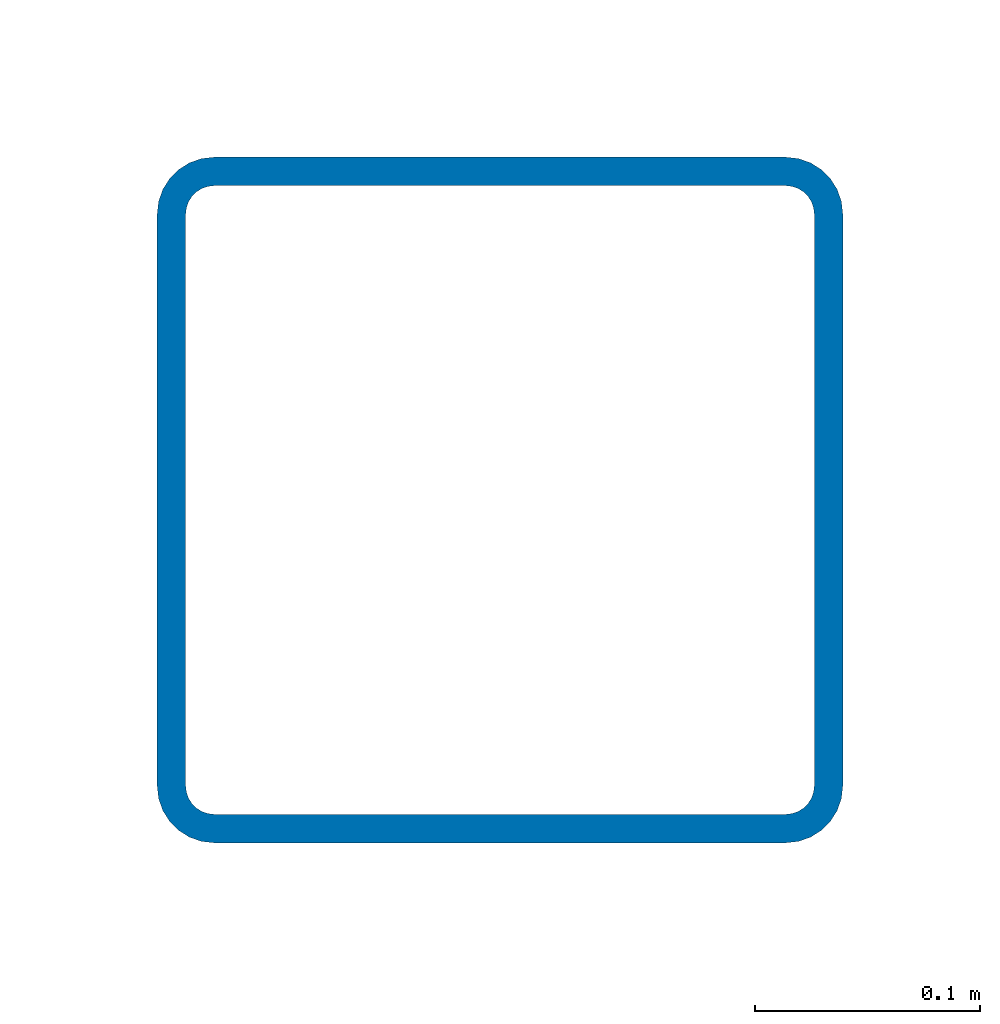
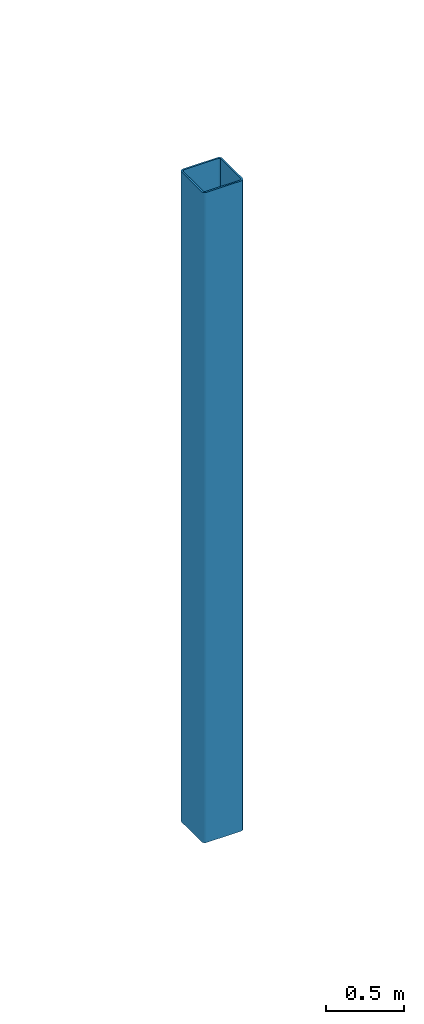
# One storey, part 15 of 99: 1 column.
"""IFC4 building model written with IfcOpenShell, lengths in metres."""

from ifc_helpers import new_model, si_unit, direction, frame, origin, origin_2d, place, context, subcontext, project, spatial, hollow_rectangle, extrude, material, material_profile, profile_set, type_object, element, save


model = new_model("IFC4")

# Units and contexts
model_context = context("Model", 3, precision=1e-05, world=origin(), true_north=direction((0.0, 1.0)))
body_context = subcontext(model_context, "Body", "Model", "MODEL_VIEW")
ifc_project = project(units=[si_unit("LENGTHUNIT", "METRE"), si_unit("AREAUNIT", "SQUARE_METRE"), si_unit("VOLUMEUNIT", "CUBIC_METRE"), si_unit("PLANEANGLEUNIT", "RADIAN"), si_unit("MASSUNIT", "GRAM", prefix="KILO")], contexts=[model_context])

# Site, building, storey
site_placement = place(None, origin())
site = spatial("IfcSite", under=ifc_project, at=site_placement, CompositionType="ELEMENT")
building_placement = place(site_placement, origin())
building = spatial("IfcBuilding", under=site, at=building_placement, Name="Vaudrelin Polytechnic", CompositionType="ELEMENT")
storey_placement = place(building_placement, origin())
storey = spatial("IfcBuildingStorey", under=building, at=storey_placement, Name="L00", CompositionType="ELEMENT", Elevation=0.0)

# Column
ifc_material = material(Name="Steel CSA G40.21 350WT", Category="steel")
ifc_material_profile = material_profile(ifc_material, hollow_rectangle(XDim=0.304931640625, YDim=0.304931640625, WallThickness=0.0126953125, InnerFilletRadius=0.0126953125, OuterFilletRadius=0.025390625, at=origin_2d()), Name="HSS305x305x12.7")
ifc_profile_set = profile_set([ifc_material_profile], Name="Steel CSA G40.21 350WT")
column_type = type_object("IfcColumnType", Name="COL-C-HSS305", PredefinedType="COLUMN", material=ifc_profile_set)
column_placement = place(storey_placement, frame((174.300048828125, 72.89990234375, 0.0), z_axis=(0.0, 0.0, 1.0), x_axis=(1.0, 0.0, 0.0)))
element("IfcColumn", 1, at=column_placement, inside=storey, type_object=column_type, Name="Deconstructivist column L00 E_OR2_1", PredefinedType="COLUMN", context=body_context, shape_type="SweptSolid", body=[
    extrude(hollow_rectangle(XDim=0.304931640625, YDim=0.304931640625, WallThickness=0.0126953125, InnerFilletRadius=0.0126953125, OuterFilletRadius=0.025390625, at=origin_2d()), origin(), (0.0, 0.0, 1.0), 5.10009765625),
])

save(model, "model.ifc")
